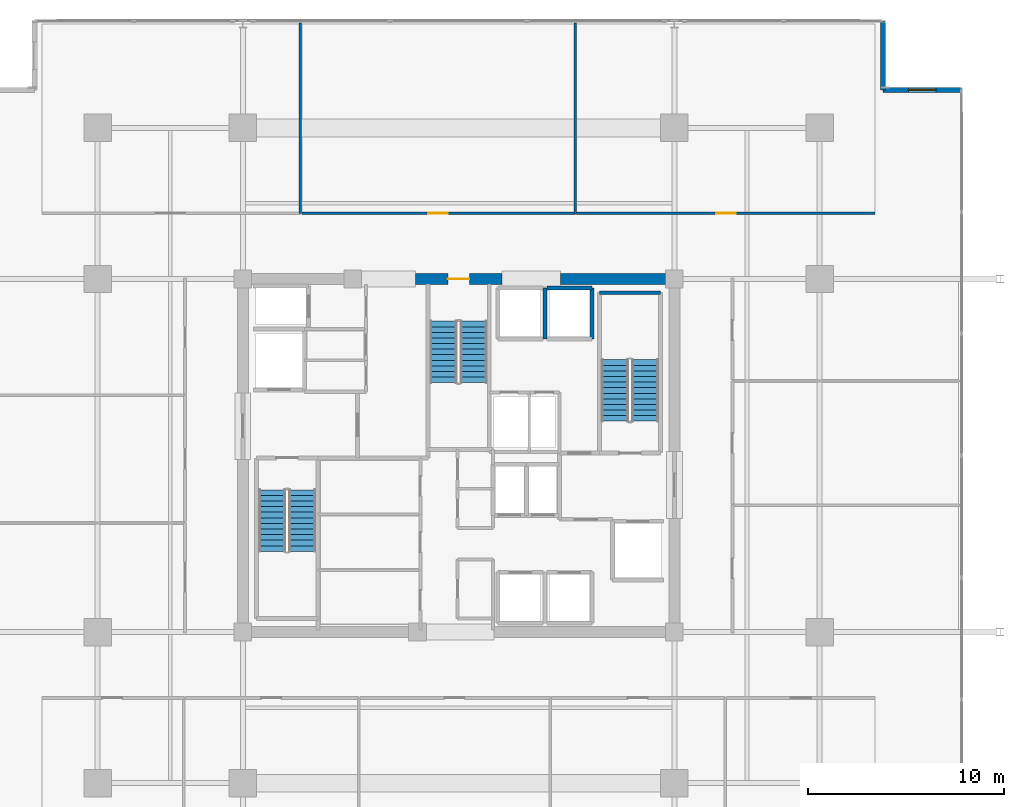
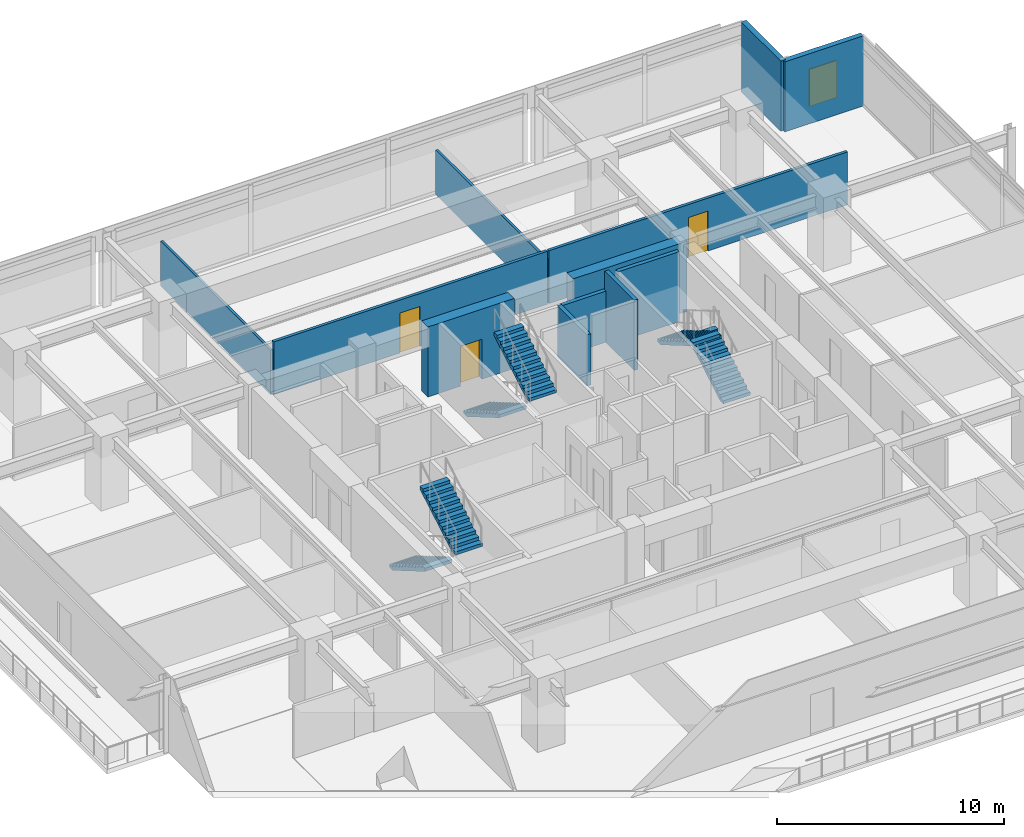
# One storey, part 18 of 23: 12 walls, 6 stair flights, 3 doors, 1 window, 4 openings, 3 elements without a shape of their own.
"""IFC4 building model written with IfcOpenShell, lengths in metres."""

from ifc_helpers import new_model, si_unit, direction, frame, frame_2d, origin, place, context, subcontext, project, spatial, polyline, rectangle, outline, extrude, material, layer, layer_set, type_object, element, fill, aggregate, save


model = new_model("IFC4")

# Units and contexts
model_context = context("Model", 3, precision=1e-05, world=origin(), true_north=direction((0.0, 1.0)))
body_context = subcontext(model_context, "Body", "Model", "MODEL_VIEW")
ifc_project = project(units=[si_unit("LENGTHUNIT", "METRE"), si_unit("AREAUNIT", "SQUARE_METRE"), si_unit("VOLUMEUNIT", "CUBIC_METRE"), si_unit("PLANEANGLEUNIT", "RADIAN"), si_unit("MASSUNIT", "GRAM", prefix="KILO")], contexts=[model_context])

# Site, building, storey
site_placement = place(None, origin())
site = spatial("IfcSite", under=ifc_project, at=site_placement, CompositionType="ELEMENT")
building_placement = place(site_placement, origin())
building = spatial("IfcBuilding", under=site, at=building_placement, Name="Kovane Verandah Tower", CompositionType="ELEMENT")
storey_placement = place(building_placement, frame((0.0, 0.0, 221.199951171875)))
storey = spatial("IfcBuildingStorey", under=building, at=storey_placement, Name="L51", CompositionType="ELEMENT", Elevation=221.199951171875)

# Wall, opening, door
ifc_material_1 = material(Name="Fire-Rated Gypsum Stud Partition", Category="gypsum")
ifc_layer_1 = layer(ifc_material_1, 0.14990234375)
ifc_layer_set_1 = layer_set([ifc_layer_1], Name="Fire-Rated Gypsum Stud Partition")
wall_type_1 = type_object("IfcWallType", Name="WL-COR-150", PredefinedType="PARTITIONING", material=ifc_layer_set_1)
wall_1_placement = place(storey_placement, frame((32.002197265625, 39.85009765625, 0.0), z_axis=(0.0, 0.0, 1.0), x_axis=(1.0, 0.0, 0.0)))
wall_1 = element("IfcWall", 1, at=wall_1_placement, inside=storey, type_object=wall_type_1, Name="L51 Meeting Room N2 Corridor Partition", PredefinedType="PARTITIONING", context=body_context, shape_type="SweptSolid", body=[
    extrude(rectangle(XDim=13.942626953125, YDim=0.14990234375, at=frame_2d((6.97119140625, 0.0))), origin(), (0.0, 0.0, 1.0), 2.85009765625),
])
opening_1_placement = place(wall_1_placement, frame((6.436279296875, 0.0, 0.0)))
opening_1 = element("IfcOpeningElement", 2, at=opening_1_placement, cuts=wall_1, Name="Opening DR-L51-022", PredefinedType="OPENING", context=body_context, shape_type="SweptSolid", body=[
    extrude(rectangle(XDim=1.0, YDim=2.14990234375, at=frame_2d((0.5, 1.074951171875))), frame((0.0, 0.074951171875, 0.0), z_axis=(0.0, -1.0, 0.0), x_axis=(1.0, 0.0, 0.0)), (0.0, 0.0, 1.0), 0.14990234375),
])
ifc_material_2 = material(Name="FSC Spotted-Gum Timber Fire-Rated Office Door", Category="wood")
door_type_1 = type_object("IfcDoorType", Name="DR-OFF-1000", OperationType="SINGLE_SWING_LEFT", PredefinedType="DOOR", material=ifc_material_2)
door_1_placement = place(opening_1_placement, origin())
door_1 = element("IfcDoor", 3, at=door_1_placement, inside=storey, type_object=door_type_1, Name="L51 Meeting Room N2 Entrance Door", OperationType="SINGLE_SWING_RIGHT", OverallHeight=2.14990234375, OverallWidth=1.0, PredefinedType="DOOR", context=body_context, shape_type="SweptSolid", body=[
    extrude(rectangle(XDim=1.0, YDim=2.14990234375, at=frame_2d((0.5, 1.074951171875))), frame((0.0, 0.02490234375, 0.0), z_axis=(0.0, -1.0, 0.0), x_axis=(1.0, 0.0, 0.0)), (0.0, 0.0, 1.0), 0.050048828125),
])
fill(opening_1, door_1)

wall_2_placement = place(storey_placement, frame((46.014892578125, 39.85009765625, 0.0), z_axis=(0.0, 0.0, 1.0), x_axis=(1.0, 0.0, 0.0)))
wall_2 = element("IfcWall", 4, at=wall_2_placement, inside=storey, type_object=wall_type_1, Name="L51 Focus Studio N3 Corridor Partition", PredefinedType="PARTITIONING", context=body_context, shape_type="SweptSolid", body=[
    extrude(rectangle(XDim=15.21630859375, YDim=0.14990234375, at=frame_2d((7.608154296875, 0.0))), origin(), (0.0, 0.0, 1.0), 2.85009765625),
])
opening_2_placement = place(wall_2_placement, frame((7.108154296875, 0.0, 0.0)))
opening_2 = element("IfcOpeningElement", 5, at=opening_2_placement, cuts=wall_2, Name="Opening DR-L51-023", PredefinedType="OPENING", context=body_context, shape_type="SweptSolid", body=[
    extrude(rectangle(XDim=1.0, YDim=2.14990234375, at=frame_2d((0.5, 1.074951171875))), frame((0.0, 0.074951171875, 0.0), z_axis=(0.0, -1.0, 0.0), x_axis=(1.0, 0.0, 0.0)), (0.0, 0.0, 1.0), 0.14990234375),
])
door_2_placement = place(opening_2_placement, origin())
door_2 = element("IfcDoor", 6, at=door_2_placement, inside=storey, type_object=door_type_1, Name="L51 Focus Studio N3 Entrance Door", OperationType="SINGLE_SWING_LEFT", OverallHeight=2.14990234375, OverallWidth=1.0, PredefinedType="DOOR", context=body_context, shape_type="SweptSolid", body=[
    extrude(rectangle(XDim=1.0, YDim=2.14990234375, at=frame_2d((0.5, 1.074951171875))), frame((0.0, 0.02490234375, 0.0), z_axis=(0.0, -1.0, 0.0), x_axis=(1.0, 0.0, 0.0)), (0.0, 0.0, 1.0), 0.050048828125),
])
fill(opening_2, door_2)

ifc_material_3 = material(Name="Concrete C60/75", Category="concrete")
ifc_layer_2 = layer(ifc_material_3, 0.550048828125)
ifc_layer_set_2 = layer_set([ifc_layer_2], Name="Concrete C60/75")
wall_type_2 = type_object("IfcWallType", Name="WL-CORE-550", PredefinedType="SHEAR", material=ifc_layer_set_2)
wall_3_placement = place(storey_placement, frame((37.800048828125, 36.5, 0.0), z_axis=(0.0, 0.0, 1.0), x_axis=(1.0, 0.0, 0.0)))
wall_3 = element("IfcWall", 7, at=wall_3_placement, inside=storey, type_object=wall_type_2, Name="L51 Core Shear Wall CN-2", PredefinedType="SHEAR", context=body_context, shape_type="SweptSolid", body=[
    extrude(rectangle(XDim=4.39990234375, YDim=0.550048828125, at=frame_2d((2.199951171875, 0.0))), origin(), (0.0, 0.0, 1.0), 3.775146484375),
])
opening_3_placement = place(wall_3_placement, frame((1.64990234375, 0.0, 0.0)))
opening_3 = element("IfcOpeningElement", 8, at=opening_3_placement, cuts=wall_3, Name="Opening DR-L51-011", PredefinedType="OPENING", context=body_context, shape_type="SweptSolid", body=[
    extrude(rectangle(XDim=1.10009765625, YDim=2.14990234375, at=frame_2d((0.550048828125, 1.074951171875))), frame((0.0, 0.27490234375, 0.0), z_axis=(0.0, -1.0, 0.0), x_axis=(1.0, 0.0, 0.0)), (0.0, 0.0, 1.0), 0.550048828125),
])
ifc_material_4 = material(Name="Fire-Rated Steel Exit Door", Category="steel")
door_type_2 = type_object("IfcDoorType", Name="DR-STAIR-1100", OperationType="SINGLE_SWING_LEFT", PredefinedType="DOOR", material=ifc_material_4)
door_3_placement = place(opening_3_placement, origin())
door_3 = element("IfcDoor", 9, at=door_3_placement, inside=storey, type_object=door_type_2, Name="L51 ST-03 Fire Exit Stair Door", OperationType="SINGLE_SWING_LEFT", OverallHeight=2.14990234375, OverallWidth=1.10009765625, PredefinedType="DOOR", context=body_context, shape_type="SweptSolid", body=[
    extrude(rectangle(XDim=1.10009765625, YDim=2.14990234375, at=frame_2d((0.550048828125, 1.074951171875))), frame((0.0, 0.02490234375, 0.0), z_axis=(0.0, -1.0, 0.0), x_axis=(1.0, 0.0, 0.0)), (0.0, 0.0, 1.0), 0.050048828125),
])
fill(opening_3, door_3)

# Walls
wall_4_placement = place(storey_placement, frame((45.199951171875, 36.5, 0.0), z_axis=(0.0, 0.0, 1.0), x_axis=(1.0, 0.0, 0.0)))
element("IfcWall", 10, at=wall_4_placement, inside=storey, type_object=wall_type_2, Name="L51 Core Shear Wall CN-3", PredefinedType="SHEAR", context=body_context, shape_type="SweptSolid", body=[
    extrude(rectangle(XDim=5.800048828125, YDim=0.550048828125, at=frame_2d((2.89990234375, 0.0))), origin(), (0.0, 0.0, 1.0), 3.775146484375),
])
ifc_material_5 = material(Name="Concrete C45/55 Lift Shaft Wall", Category="concrete")
ifc_layer_3 = layer(ifc_material_5, 0.199951171875)
ifc_layer_set_3 = layer_set([ifc_layer_3], Name="Concrete C45/55 Lift Shaft Wall")
wall_type_3 = type_object("IfcWallType", Name="WL-LIFT-200", PredefinedType="SOLIDWALL", material=ifc_layer_set_3)
wall_5_placement = place(storey_placement, frame((44.39990234375, 33.449951171875, 0.0), z_axis=(0.0, 0.0, 1.0), x_axis=(0.0, 1.0, 0.0)))
element("IfcWall", 11, at=wall_5_placement, inside=storey, type_object=wall_type_3, Name="L51 Lift OL-01 and SL-01 Shared Shaft Wall", PredefinedType="SOLIDWALL", context=body_context, shape_type="SweptSolid", body=[
    extrude(rectangle(XDim=2.60009765625, YDim=0.199951171875, at=frame_2d((1.300048828125, 0.0))), origin(), (0.0, 0.0, 1.0), 2.755126953125),
])
wall_6_placement = place(storey_placement, frame((46.800048828125, 36.050048828125, 0.0), z_axis=(0.0, 0.0, 1.0), x_axis=(-1.0, 0.0, 0.0)))
element("IfcWall", 12, at=wall_6_placement, inside=storey, type_object=wall_type_3, Name="L51 Lift OL-01 N Shaft Wall", PredefinedType="SOLIDWALL", context=body_context, shape_type="SweptSolid", body=[
    extrude(rectangle(XDim=2.300048828125, YDim=0.199951171875, at=frame_2d((1.14990234375, 0.0))), origin(), (0.0, 0.0, 1.0), 2.755126953125),
])
wall_7_placement = place(storey_placement, frame((46.800048828125, 33.449951171875, 0.0), z_axis=(0.0, 0.0, 1.0), x_axis=(0.0, 1.0, 0.0)))
element("IfcWall", 13, at=wall_7_placement, inside=storey, type_object=wall_type_3, Name="L51 Lift OL-01 E Shaft Wall", PredefinedType="SOLIDWALL", context=body_context, shape_type="SweptSolid", body=[
    extrude(rectangle(XDim=2.60009765625, YDim=0.199951171875, at=frame_2d((1.300048828125, 0.0))), origin(), (0.0, 0.0, 1.0), 3.775146484375),
])
ifc_material_6 = material(Name="Acoustic Fire-Rated Gypsum Partition", Category="gypsum")
ifc_layer_4 = layer(ifc_material_6, 0.1201171875)
ifc_layer_set_4 = layer_set([ifc_layer_4], Name="Acoustic Fire-Rated Gypsum Partition")
wall_type_4 = type_object("IfcWallType", Name="WL-PART-120", PredefinedType="PARTITIONING", material=ifc_layer_set_4)
for number, where, z_axis, x_axis, name in (
    (14, (31.93212890625, 39.85009765625, 0.0), (0.0, 0.0, 1.0), (0.0, 1.0, 0.0), "L51 Client Boardroom N1 Dividing Partition"),
    (15, (45.94482421875, 39.85009765625, 0.0), (0.0, 0.0, 1.0), (0.0, 1.0, 0.0), "L51 Meeting Room N2 Dividing Partition"),
):
    element("IfcWall", number, at=place(storey_placement, frame(where, z_axis=z_axis, x_axis=x_axis)), inside=storey, type_object=wall_type_4, Name=name, PredefinedType="PARTITIONING", context=body_context, shape_type="SweptSolid", body=[
        extrude(rectangle(XDim=9.690185546875, YDim=0.1201171875, at=frame_2d((4.84521484375, 0.0))), origin(), (0.0, 0.0, 1.0), 2.405029296875),
    ])
ifc_material_7 = material(Name="Concrete C45/55", Category="concrete")
ifc_layer_5 = layer(ifc_material_7, 0.199951171875)
ifc_layer_set_5 = layer_set([ifc_layer_5], Name="Concrete C45/55")
wall_type_5 = type_object("IfcWallType", Name="WL-SHAFT-200", PredefinedType="SOLIDWALL", material=ifc_layer_set_5)
wall_8_placement = place(storey_placement, frame((47.179931640625, 35.800048828125, 0.0), z_axis=(0.0, 0.0, 1.0), x_axis=(1.0, 0.0, 0.0)))
element("IfcWall", 16, at=wall_8_placement, inside=storey, type_object=wall_type_5, Name="W-L51-ST02-N", PredefinedType="SOLIDWALL", context=body_context, shape_type="SweptSolid", body=[
    extrude(rectangle(XDim=3.1201171875, YDim=0.199951171875, at=frame_2d((1.56005859375, 0.0))), origin(), (0.0, 0.0, 1.0), 3.775146484375),
])

# Wall, opening, window
ifc_material_8 = material(Name="Concrete C45/55 Insulated Spandrel Wall", Category="concrete")
ifc_layer_6 = layer(ifc_material_8, 0.260009765625)
ifc_layer_set_6 = layer_set([ifc_layer_6], Name="Concrete C45/55 Insulated Spandrel Wall")
wall_type_6 = type_object("IfcWallType", Name="WL-SPANDREL-260", PredefinedType="PARAPET", material=ifc_layer_set_6)
wall_9_placement = place(storey_placement, frame((65.63134765625, 46.140380859375, 0.0), z_axis=(0.0, 0.0, 1.0), x_axis=(-1.0, 0.0, 0.0)))
wall_9 = element("IfcWall", 17, at=wall_9_placement, inside=storey, type_object=wall_type_6, Name="L51 NE Notch Cheek Wall 1", PredefinedType="PARAPET", context=body_context, shape_type="SweptSolid", body=[
    extrude(rectangle(XDim=4.0, YDim=0.260009765625, at=frame_2d((2.0, 0.0))), origin(), (0.0, 0.0, 1.0), 3.775146484375),
])
opening_4_placement = place(wall_9_placement, frame((1.300048828125, 0.0, 0.85009765625)))
opening_4 = element("IfcOpeningElement", 18, at=opening_4_placement, cuts=wall_9, Name="Opening W-01", PredefinedType="OPENING", context=body_context, shape_type="SweptSolid", body=[
    extrude(rectangle(XDim=1.39990234375, YDim=2.0, at=frame_2d((0.699951171875, 1.0))), frame((0.0, 0.1298828125, 0.0), z_axis=(0.0, -1.0, 0.0), x_axis=(1.0, 0.0, 0.0)), (0.0, 0.0, 1.0), 0.260009765625),
])
ifc_material_9 = material(Name="Clear Low-E Laminated Double Glazing in Anodised Frame", Category="glass")
window_type = type_object("IfcWindowType", Name="WN-OPER-1400x2000", PartitioningType="SINGLE_PANEL", PredefinedType="WINDOW", material=ifc_material_9)
window_placement = place(opening_4_placement, origin())
window = element("IfcWindow", 19, at=window_placement, inside=storey, type_object=window_type, Name="L51 NE Re-Entrant Corner Operable Window", OverallHeight=2.0, OverallWidth=1.39990234375, PartitioningType="SINGLE_PANEL", PredefinedType="WINDOW", context=body_context, shape_type="SweptSolid", body=[
    extrude(rectangle(XDim=1.39990234375, YDim=2.0, at=frame_2d((0.699951171875, 1.0))), frame((0.0, 0.030029296875, 0.0), z_axis=(0.0, -1.0, 0.0), x_axis=(1.0, 0.0, 0.0)), (0.0, 0.0, 1.0), 0.06005859375),
])
fill(opening_4, window)

# Wall
wall_10_placement = place(storey_placement, frame((61.63134765625, 46.140380859375, 0.0), z_axis=(0.0, 0.0, 1.0), x_axis=(0.0, 1.0, 0.0)))
element("IfcWall", 20, at=wall_10_placement, inside=storey, type_object=wall_type_6, Name="L51 NE Notch Cheek Wall 2", PredefinedType="PARAPET", context=body_context, shape_type="SweptSolid", body=[
    extrude(rectangle(XDim=3.5, YDim=0.260009765625, at=frame_2d((1.75, 0.0))), origin(), (0.0, 0.0, 1.0), 3.775146484375),
])

# Stair, stair flights
stair_type = type_object("IfcStairType", Name="ST-CORE-1380", PredefinedType="HALF_TURN_STAIR", material=ifc_material_7)
stair_1_placement = place(storey_placement, origin())
stair_1 = element("IfcStair", 21, at=stair_1_placement, inside=storey, type_object=stair_type, Name="L51 Exit Stair ST-01", PredefinedType="HALF_TURN_STAIR")
stair_flight_type = type_object("IfcStairFlightType", Name="STF-CORE-1380", PredefinedType="STRAIGHT", material=ifc_material_7)
stair_flight_1_placement = place(storey_placement, frame((30.489990234375, 25.75, 0.0), z_axis=(0.0, 0.0, 1.0), x_axis=(0.0, -1.0, 0.0)))
stair_flight_1 = element("IfcStairFlight", 22, at=stair_flight_1_placement, type_object=stair_flight_type, Name="ST-01 flight 1", NumberOfRisers=12, NumberOfTreads=11, PredefinedType="STRAIGHT", RiserHeight=0.166666667, TreadLength=0.285, context=body_context, shape_type="SweptSolid", body=[
    extrude(outline(polyline([(0.0, 0.0), (0.0, 0.166748046875), (0.284912109375, 0.166748046875), (0.284912109375, 0.333251953125), (0.570068359375, 0.333251953125), (0.570068359375, 0.5), (0.85498046875, 0.5), (0.85498046875, 0.666748046875), (1.139892578125, 0.666748046875), (1.139892578125, 0.833251953125), (1.425048828125, 0.833251953125), (1.425048828125, 1.0), (1.7099609375, 1.0), (1.7099609375, 1.166748046875), (1.9951171875, 1.166748046875), (1.9951171875, 1.333251953125), (2.280029296875, 1.333251953125), (2.280029296875, 1.5), (2.56494140625, 1.5), (2.56494140625, 1.666748046875), (2.85009765625, 1.666748046875), (2.85009765625, 1.833251953125), (3.135009765625, 1.833251953125), (3.135009765625, 2.0), (3.135009765625, 1.65966796875), (0.296875, 0.0), (0.0, 0.0)])), frame((0.0, 0.68994140625, 0.0), z_axis=(0.0, -1.0, 0.0), x_axis=(1.0, 0.0, 0.0)), (0.0, 0.0, 1.0), 1.3798828125),
])
stair_flight_2_placement = place(storey_placement, frame((32.030029296875, 22.614990234375, 2.0), z_axis=(0.0, 0.0, 1.0), x_axis=(0.0, 1.0, 0.0)))
stair_flight_2 = element("IfcStairFlight", 23, at=stair_flight_2_placement, type_object=stair_flight_type, Name="ST-01 flight 2", NumberOfRisers=12, NumberOfTreads=11, PredefinedType="STRAIGHT", RiserHeight=0.166666667, TreadLength=0.285, context=body_context, shape_type="SweptSolid", body=[
    extrude(outline(polyline([(0.0, 0.0), (0.0, 0.166748046875), (0.284912109375, 0.166748046875), (0.284912109375, 0.333251953125), (0.570068359375, 0.333251953125), (0.570068359375, 0.5), (0.85498046875, 0.5), (0.85498046875, 0.666748046875), (1.139892578125, 0.666748046875), (1.139892578125, 0.833251953125), (1.425048828125, 0.833251953125), (1.425048828125, 1.0), (1.7099609375, 1.0), (1.7099609375, 1.166748046875), (1.9951171875, 1.166748046875), (1.9951171875, 1.333251953125), (2.280029296875, 1.333251953125), (2.280029296875, 1.5), (2.56494140625, 1.5), (2.56494140625, 1.666748046875), (2.85009765625, 1.666748046875), (2.85009765625, 1.833251953125), (3.135009765625, 1.833251953125), (3.135009765625, 2.0), (3.135009765625, 1.65966796875), (0.296875, 0.0), (0.0, 0.0)])), frame((0.0, 0.68994140625, 0.0), z_axis=(0.0, -1.0, 0.0), x_axis=(1.0, 0.0, 0.0)), (0.0, 0.0, 1.0), 1.3798828125),
])
aggregate(stair_1, [stair_flight_1, stair_flight_2])

stair_2_placement = place(storey_placement, origin())
stair_2 = element("IfcStair", 24, at=stair_2_placement, inside=storey, type_object=stair_type, Name="L51 Exit Stair ST-02", PredefinedType="HALF_TURN_STAIR")
stair_flight_3_placement = place(storey_placement, frame((49.510009765625, 29.25, 0.0), z_axis=(0.0, 0.0, 1.0), x_axis=(0.0, 1.0, 0.0)))
stair_flight_3 = element("IfcStairFlight", 25, at=stair_flight_3_placement, type_object=stair_flight_type, Name="ST-02 flight 1", NumberOfRisers=12, NumberOfTreads=11, PredefinedType="STRAIGHT", RiserHeight=0.166666667, TreadLength=0.285, context=body_context, shape_type="SweptSolid", body=[
    extrude(outline(polyline([(0.0, 0.0), (0.0, 0.166748046875), (0.284912109375, 0.166748046875), (0.284912109375, 0.333251953125), (0.570068359375, 0.333251953125), (0.570068359375, 0.5), (0.85498046875, 0.5), (0.85498046875, 0.666748046875), (1.139892578125, 0.666748046875), (1.139892578125, 0.833251953125), (1.425048828125, 0.833251953125), (1.425048828125, 1.0), (1.7099609375, 1.0), (1.7099609375, 1.166748046875), (1.9951171875, 1.166748046875), (1.9951171875, 1.333251953125), (2.280029296875, 1.333251953125), (2.280029296875, 1.5), (2.56494140625, 1.5), (2.56494140625, 1.666748046875), (2.85009765625, 1.666748046875), (2.85009765625, 1.833251953125), (3.135009765625, 1.833251953125), (3.135009765625, 2.0), (3.135009765625, 1.65966796875), (0.296875, 0.0), (0.0, 0.0)])), frame((0.0, 0.68994140625, 0.0), z_axis=(0.0, -1.0, 0.0), x_axis=(1.0, 0.0, 0.0)), (0.0, 0.0, 1.0), 1.3798828125),
])
stair_flight_4_placement = place(storey_placement, frame((47.969970703125, 32.385009765625, 2.0), z_axis=(0.0, 0.0, 1.0), x_axis=(0.0, -1.0, 0.0)))
stair_flight_4 = element("IfcStairFlight", 26, at=stair_flight_4_placement, type_object=stair_flight_type, Name="ST-02 flight 2", NumberOfRisers=12, NumberOfTreads=11, PredefinedType="STRAIGHT", RiserHeight=0.166666667, TreadLength=0.285, context=body_context, shape_type="SweptSolid", body=[
    extrude(outline(polyline([(0.0, 0.0), (0.0, 0.166748046875), (0.284912109375, 0.166748046875), (0.284912109375, 0.333251953125), (0.570068359375, 0.333251953125), (0.570068359375, 0.5), (0.85498046875, 0.5), (0.85498046875, 0.666748046875), (1.139892578125, 0.666748046875), (1.139892578125, 0.833251953125), (1.425048828125, 0.833251953125), (1.425048828125, 1.0), (1.7099609375, 1.0), (1.7099609375, 1.166748046875), (1.9951171875, 1.166748046875), (1.9951171875, 1.333251953125), (2.280029296875, 1.333251953125), (2.280029296875, 1.5), (2.56494140625, 1.5), (2.56494140625, 1.666748046875), (2.85009765625, 1.666748046875), (2.85009765625, 1.833251953125), (3.135009765625, 1.833251953125), (3.135009765625, 2.0), (3.135009765625, 1.65966796875), (0.296875, 0.0), (0.0, 0.0)])), frame((0.0, 0.68994140625, 0.0), z_axis=(0.0, -1.0, 0.0), x_axis=(1.0, 0.0, 0.0)), (0.0, 0.0, 1.0), 1.3798828125),
])
aggregate(stair_2, [stair_flight_3, stair_flight_4])

stair_3_placement = place(storey_placement, origin())
stair_3 = element("IfcStair", 27, at=stair_3_placement, inside=storey, type_object=stair_type, Name="L51 Exit Stair ST-03", PredefinedType="HALF_TURN_STAIR")
stair_flight_5_placement = place(storey_placement, frame((39.22998046875, 34.35009765625, 0.0), z_axis=(0.0, 0.0, 1.0), x_axis=(0.0, -1.0, 0.0)))
stair_flight_5 = element("IfcStairFlight", 28, at=stair_flight_5_placement, type_object=stair_flight_type, Name="ST-03 flight 1", NumberOfRisers=12, NumberOfTreads=11, PredefinedType="STRAIGHT", RiserHeight=0.166666667, TreadLength=0.285, context=body_context, shape_type="SweptSolid", body=[
    extrude(outline(polyline([(0.0, 0.0), (0.0, 0.166748046875), (0.284912109375, 0.166748046875), (0.284912109375, 0.333251953125), (0.570068359375, 0.333251953125), (0.570068359375, 0.5), (0.85498046875, 0.5), (0.85498046875, 0.666748046875), (1.139892578125, 0.666748046875), (1.139892578125, 0.833251953125), (1.425048828125, 0.833251953125), (1.425048828125, 1.0), (1.7099609375, 1.0), (1.7099609375, 1.166748046875), (1.9951171875, 1.166748046875), (1.9951171875, 1.333251953125), (2.280029296875, 1.333251953125), (2.280029296875, 1.5), (2.56494140625, 1.5), (2.56494140625, 1.666748046875), (2.85009765625, 1.666748046875), (2.85009765625, 1.833251953125), (3.135009765625, 1.833251953125), (3.135009765625, 2.0), (3.135009765625, 1.65966796875), (0.296875, 0.0), (0.0, 0.0)])), frame((0.0, 0.68994140625, 0.0), z_axis=(0.0, -1.0, 0.0), x_axis=(1.0, 0.0, 0.0)), (0.0, 0.0, 1.0), 1.3798828125),
])
stair_flight_6_placement = place(storey_placement, frame((40.77001953125, 31.215087890625, 2.0), z_axis=(0.0, 0.0, 1.0), x_axis=(0.0, 1.0, 0.0)))
stair_flight_6 = element("IfcStairFlight", 29, at=stair_flight_6_placement, type_object=stair_flight_type, Name="ST-03 flight 2", NumberOfRisers=12, NumberOfTreads=11, PredefinedType="STRAIGHT", RiserHeight=0.166666667, TreadLength=0.285, context=body_context, shape_type="SweptSolid", body=[
    extrude(outline(polyline([(0.0, 0.0), (0.0, 0.166748046875), (0.284912109375, 0.166748046875), (0.284912109375, 0.333251953125), (0.570068359375, 0.333251953125), (0.570068359375, 0.5), (0.85498046875, 0.5), (0.85498046875, 0.666748046875), (1.139892578125, 0.666748046875), (1.139892578125, 0.833251953125), (1.425048828125, 0.833251953125), (1.425048828125, 1.0), (1.7099609375, 1.0), (1.7099609375, 1.166748046875), (1.9951171875, 1.166748046875), (1.9951171875, 1.333251953125), (2.280029296875, 1.333251953125), (2.280029296875, 1.5), (2.56494140625, 1.5), (2.56494140625, 1.666748046875), (2.85009765625, 1.666748046875), (2.85009765625, 1.833251953125), (3.135009765625, 1.833251953125), (3.135009765625, 2.0), (3.135009765625, 1.65966796875), (0.296875, 0.0), (0.0, 0.0)])), frame((0.0, 0.68994140625, 0.0), z_axis=(0.0, -1.0, 0.0), x_axis=(1.0, 0.0, 0.0)), (0.0, 0.0, 1.0), 1.3798828125),
])
aggregate(stair_3, [stair_flight_5, stair_flight_6])

save(model, "model.ifc")
